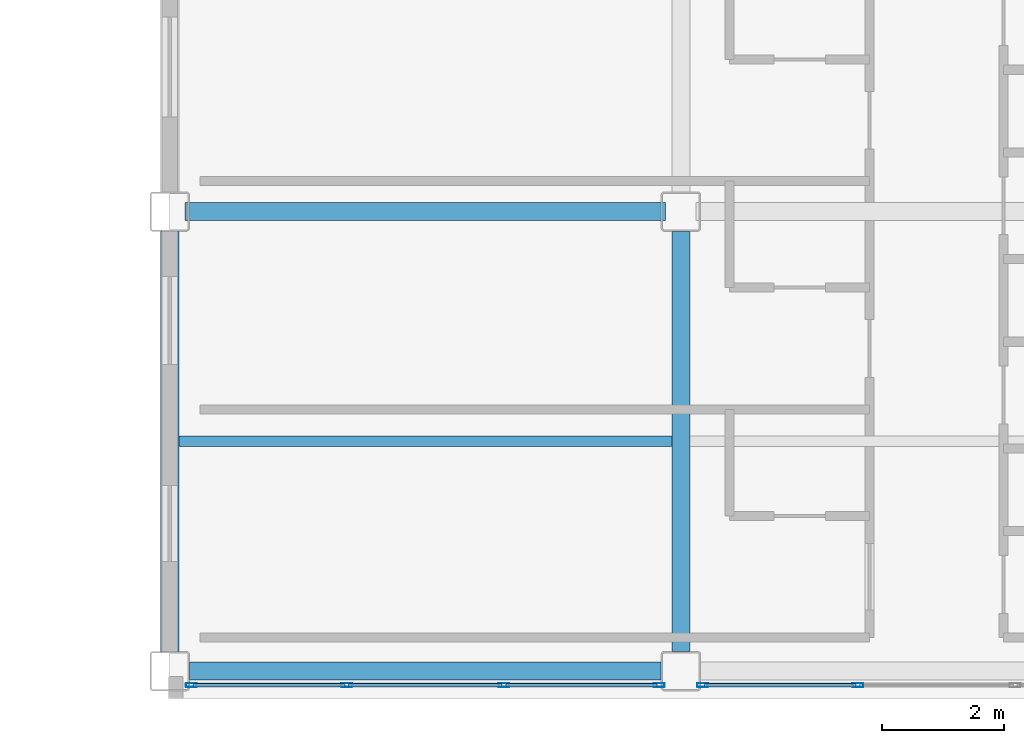
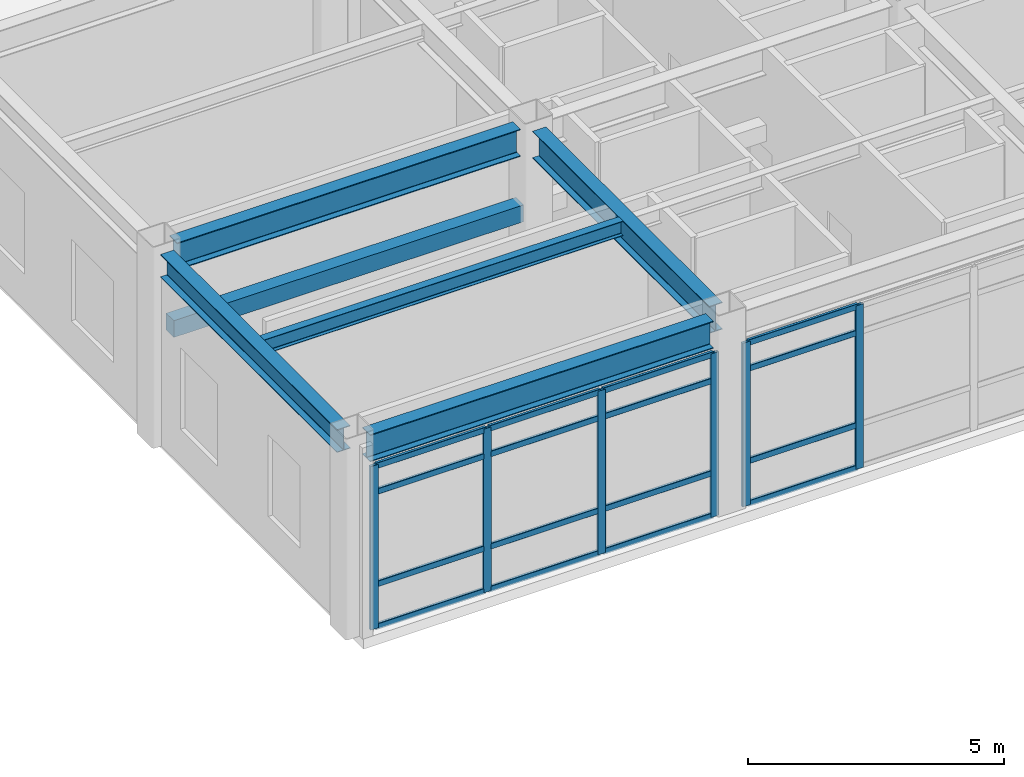
# One storey, part 15 of 61: 22 members, 6 beams, 2 elements without a shape of their own.
"""IFC4 building model written with IfcOpenShell, lengths in metres."""

from ifc_helpers import new_model, si_unit, direction, frame, origin, origin_2d, place, context, subcontext, project, spatial, rectangle, hollow_rectangle, i_section, extrude, material, layer, layer_set, material_profile, profile_set, type_object, element, aggregate, save


model = new_model("IFC4")

# Units and contexts
model_context = context("Model", 3, precision=1e-05, world=origin(), true_north=direction((0.0, 1.0)))
body_context = subcontext(model_context, "Body", "Model", "MODEL_VIEW")
ifc_project = project(units=[si_unit("LENGTHUNIT", "METRE"), si_unit("AREAUNIT", "SQUARE_METRE"), si_unit("VOLUMEUNIT", "CUBIC_METRE"), si_unit("PLANEANGLEUNIT", "RADIAN"), si_unit("MASSUNIT", "GRAM", prefix="KILO")], contexts=[model_context])

# Site, building, storey
site_placement = place(None, origin())
site = spatial("IfcSite", under=ifc_project, at=site_placement, CompositionType="ELEMENT")
building_placement = place(site_placement, origin())
building = spatial("IfcBuilding", under=site, at=building_placement, Name="Kazehara Bluff Congress Hotel", CompositionType="ELEMENT")
storey_placement = place(building_placement, frame((0.0, 0.0, 19.800048828125)))
storey = spatial("IfcBuildingStorey", under=building, at=storey_placement, Name="L04", CompositionType="ELEMENT", Elevation=19.800048828125)

# Curtain wall, members
ifc_material_1 = material(Name="Anodised aluminium", Category="aluminium")
ifc_layer = layer(ifc_material_1, 0.159912109375)
ifc_layer_set = layer_set([ifc_layer], Name="Anodised aluminium")
curtain_wall_type = type_object("IfcCurtainWallType", Name="TP-CW-158", PredefinedType="NOTDEFINED", material=ifc_layer_set)
curtain_wall_1_placement = place(storey_placement, origin())
curtain_wall_1 = element("IfcCurtainWall", 1, at=curtain_wall_1_placement, inside=storey, type_object=curtain_wall_type, Name="L04 curtain wall CW-158 CW-ENC-V5-L04-14790-22", PredefinedType="NOTDEFINED")
ifc_material_2 = material(Name="Anodised aluminium", Category="aluminium")
ifc_material_profile_1 = material_profile(ifc_material_2, hollow_rectangle(XDim=0.06494140625, YDim=0.179931640625, WallThickness=0.00390625, InnerFilletRadius=0.00390625, OuterFilletRadius=0.008056640625, at=origin_2d()))
ifc_profile_set_1 = profile_set([ifc_material_profile_1], Name="Anodised aluminium")
member_type_1 = type_object("IfcMemberType", Name="TP-CWM-02", PredefinedType="MULLION", material=ifc_profile_set_1)
member_1_placement = place(storey_placement, frame((151.742431640625, 0.219970703125, 0.0), z_axis=(0.0, 0.0, 1.0), x_axis=(0.0, -1.0, 0.0)))
member_1 = element("IfcMember", 2, at=member_1_placement, type_object=member_type_1, Name="CW-158 mullion 1", PredefinedType="MULLION", context=body_context, shape_type="SweptSolid", body=[
    extrude(hollow_rectangle(XDim=0.06494140625, YDim=0.179931640625, WallThickness=0.00390625, InnerFilletRadius=0.00390625, OuterFilletRadius=0.008056640625, at=origin_2d()), origin(), (0.0, 0.0, 1.0), 3.905029296875),
])
member_2_placement = place(storey_placement, frame((149.191650390625, 0.219970703125, 0.0), z_axis=(0.0, 0.0, 1.0), x_axis=(0.0, -1.0, 0.0)))
member_2 = element("IfcMember", 3, at=member_2_placement, type_object=member_type_1, Name="CW-158 mullion 2", PredefinedType="MULLION", context=body_context, shape_type="SweptSolid", body=[
    extrude(hollow_rectangle(XDim=0.06494140625, YDim=0.179931640625, WallThickness=0.00390625, InnerFilletRadius=0.00390625, OuterFilletRadius=0.008056640625, at=origin_2d()), origin(), (0.0, 0.0, 1.0), 3.905029296875),
])
member_3_placement = place(storey_placement, frame((146.6083984375, 0.219970703125, 0.0), z_axis=(0.0, 0.0, 1.0), x_axis=(0.0, -1.0, 0.0)))
member_3 = element("IfcMember", 4, at=member_3_placement, type_object=member_type_1, Name="CW-158 mullion 3", PredefinedType="MULLION", context=body_context, shape_type="SweptSolid", body=[
    extrude(hollow_rectangle(XDim=0.06494140625, YDim=0.179931640625, WallThickness=0.00390625, InnerFilletRadius=0.00390625, OuterFilletRadius=0.008056640625, at=origin_2d()), origin(), (0.0, 0.0, 1.0), 3.905029296875),
])
member_4_placement = place(storey_placement, frame((144.0576171875, 0.219970703125, 0.0), z_axis=(0.0, 0.0, 1.0), x_axis=(0.0, -1.0, 0.0)))
member_4 = element("IfcMember", 5, at=member_4_placement, type_object=member_type_1, Name="CW-158 mullion 4", PredefinedType="MULLION", context=body_context, shape_type="SweptSolid", body=[
    extrude(hollow_rectangle(XDim=0.06494140625, YDim=0.179931640625, WallThickness=0.00390625, InnerFilletRadius=0.00390625, OuterFilletRadius=0.008056640625, at=origin_2d()), origin(), (0.0, 0.0, 1.0), 3.905029296875),
])

curtain_wall_2_placement = place(storey_placement, origin())
curtain_wall_2 = element("IfcCurtainWall", 6, at=curtain_wall_2_placement, inside=storey, type_object=curtain_wall_type, Name="L04 curtain wall CW-158 CW-ENC-V5-L04-15630-22", PredefinedType="NOTDEFINED")
member_5_placement = place(storey_placement, frame((155.00830078125, 0.219970703125, 0.0), z_axis=(0.0, 0.0, 1.0), x_axis=(0.0, -1.0, 0.0)))
member_5 = element("IfcMember", 7, at=member_5_placement, type_object=member_type_1, Name="CW-158 mullion 3", PredefinedType="MULLION", context=body_context, shape_type="SweptSolid", body=[
    extrude(hollow_rectangle(XDim=0.06494140625, YDim=0.179931640625, WallThickness=0.00390625, InnerFilletRadius=0.00390625, OuterFilletRadius=0.008056640625, at=origin_2d()), origin(), (0.0, 0.0, 1.0), 3.905029296875),
])
member_6_placement = place(storey_placement, frame((152.45751953125, 0.219970703125, 0.0), z_axis=(0.0, 0.0, 1.0), x_axis=(0.0, -1.0, 0.0)))
member_6 = element("IfcMember", 8, at=member_6_placement, type_object=member_type_1, Name="CW-158 mullion 4", PredefinedType="MULLION", context=body_context, shape_type="SweptSolid", body=[
    extrude(hollow_rectangle(XDim=0.06494140625, YDim=0.179931640625, WallThickness=0.00390625, InnerFilletRadius=0.00390625, OuterFilletRadius=0.008056640625, at=origin_2d()), origin(), (0.0, 0.0, 1.0), 3.905029296875),
])

# Member
ifc_material_3 = material(Name="Anodised aluminium", Category="aluminium")
ifc_material_profile_2 = material_profile(ifc_material_3, hollow_rectangle(XDim=0.06494140625, YDim=0.139892578125, WallThickness=0.00390625, InnerFilletRadius=0.00390625, OuterFilletRadius=0.008056640625, at=origin_2d()))
ifc_profile_set_2 = profile_set([ifc_material_profile_2], Name="Anodised aluminium")
member_type_2 = type_object("IfcMemberType", Name="TP-CWT-02", PredefinedType="USERDEFINED", material=ifc_profile_set_2)
member_7_placement = place(storey_placement, frame((151.7099609375, 0.219970703125, 0.032470703125), z_axis=(-1.0, 0.0, 0.0), x_axis=(0.0, -1.0, 0.0)))
member_7 = element("IfcMember", 9, at=member_7_placement, type_object=member_type_2, Name="CW-158 transom 1.1", ObjectType="TRANSOM", PredefinedType="USERDEFINED", context=body_context, shape_type="SweptSolid", body=[
    extrude(hollow_rectangle(XDim=0.06494140625, YDim=0.139892578125, WallThickness=0.00390625, InnerFilletRadius=0.00390625, OuterFilletRadius=0.008056640625, at=origin_2d()), origin(), (0.0, 0.0, 1.0), 2.48583984375),
])

member_8_placement = place(storey_placement, frame((151.7099609375, 0.219970703125, 1.050048828125), z_axis=(-1.0, 0.0, 0.0), x_axis=(0.0, -1.0, 0.0)))
member_8 = element("IfcMember", 10, at=member_8_placement, type_object=member_type_2, Name="CW-158 transom 1.2", ObjectType="TRANSOM", PredefinedType="USERDEFINED", context=body_context, shape_type="SweptSolid", body=[
    extrude(hollow_rectangle(XDim=0.06494140625, YDim=0.139892578125, WallThickness=0.00390625, InnerFilletRadius=0.00390625, OuterFilletRadius=0.008056640625, at=origin_2d()), origin(), (0.0, 0.0, 1.0), 2.48583984375),
])

member_9_placement = place(storey_placement, frame((151.7099609375, 0.219970703125, 3.2548828125), z_axis=(-1.0, 0.0, 0.0), x_axis=(0.0, -1.0, 0.0)))
member_9 = element("IfcMember", 11, at=member_9_placement, type_object=member_type_2, Name="CW-158 transom 1.3", ObjectType="TRANSOM", PredefinedType="USERDEFINED", context=body_context, shape_type="SweptSolid", body=[
    extrude(hollow_rectangle(XDim=0.06494140625, YDim=0.139892578125, WallThickness=0.00390625, InnerFilletRadius=0.00390625, OuterFilletRadius=0.008056640625, at=origin_2d()), origin(), (0.0, 0.0, 1.0), 2.48583984375),
])

member_10_placement = place(storey_placement, frame((151.7099609375, 0.219970703125, 3.87255859375), z_axis=(-1.0, 0.0, 0.0), x_axis=(0.0, -1.0, 0.0)))
member_10 = element("IfcMember", 12, at=member_10_placement, type_object=member_type_2, Name="CW-158 transom 1.4", ObjectType="TRANSOM", PredefinedType="USERDEFINED", context=body_context, shape_type="SweptSolid", body=[
    extrude(hollow_rectangle(XDim=0.06494140625, YDim=0.139892578125, WallThickness=0.00390625, InnerFilletRadius=0.00390625, OuterFilletRadius=0.008056640625, at=origin_2d()), origin(), (0.0, 0.0, 1.0), 2.48583984375),
])

member_11_placement = place(storey_placement, frame((149.1591796875, 0.219970703125, 0.032470703125), z_axis=(-1.0, 0.0, 0.0), x_axis=(0.0, -1.0, 0.0)))
member_11 = element("IfcMember", 13, at=member_11_placement, type_object=member_type_2, Name="CW-158 transom 2.1", ObjectType="TRANSOM", PredefinedType="USERDEFINED", context=body_context, shape_type="SweptSolid", body=[
    extrude(hollow_rectangle(XDim=0.06494140625, YDim=0.139892578125, WallThickness=0.00390625, InnerFilletRadius=0.00390625, OuterFilletRadius=0.008056640625, at=origin_2d()), origin(), (0.0, 0.0, 1.0), 2.518310546875),
])

member_12_placement = place(storey_placement, frame((149.1591796875, 0.219970703125, 1.050048828125), z_axis=(-1.0, 0.0, 0.0), x_axis=(0.0, -1.0, 0.0)))
member_12 = element("IfcMember", 14, at=member_12_placement, type_object=member_type_2, Name="CW-158 transom 2.2", ObjectType="TRANSOM", PredefinedType="USERDEFINED", context=body_context, shape_type="SweptSolid", body=[
    extrude(hollow_rectangle(XDim=0.06494140625, YDim=0.139892578125, WallThickness=0.00390625, InnerFilletRadius=0.00390625, OuterFilletRadius=0.008056640625, at=origin_2d()), origin(), (0.0, 0.0, 1.0), 2.518310546875),
])

member_13_placement = place(storey_placement, frame((149.1591796875, 0.219970703125, 3.2548828125), z_axis=(-1.0, 0.0, 0.0), x_axis=(0.0, -1.0, 0.0)))
member_13 = element("IfcMember", 15, at=member_13_placement, type_object=member_type_2, Name="CW-158 transom 2.3", ObjectType="TRANSOM", PredefinedType="USERDEFINED", context=body_context, shape_type="SweptSolid", body=[
    extrude(hollow_rectangle(XDim=0.06494140625, YDim=0.139892578125, WallThickness=0.00390625, InnerFilletRadius=0.00390625, OuterFilletRadius=0.008056640625, at=origin_2d()), origin(), (0.0, 0.0, 1.0), 2.518310546875),
])

member_14_placement = place(storey_placement, frame((149.1591796875, 0.219970703125, 3.87255859375), z_axis=(-1.0, 0.0, 0.0), x_axis=(0.0, -1.0, 0.0)))
member_14 = element("IfcMember", 16, at=member_14_placement, type_object=member_type_2, Name="CW-158 transom 2.4", ObjectType="TRANSOM", PredefinedType="USERDEFINED", context=body_context, shape_type="SweptSolid", body=[
    extrude(hollow_rectangle(XDim=0.06494140625, YDim=0.139892578125, WallThickness=0.00390625, InnerFilletRadius=0.00390625, OuterFilletRadius=0.008056640625, at=origin_2d()), origin(), (0.0, 0.0, 1.0), 2.518310546875),
])

member_15_placement = place(storey_placement, frame((146.575927734375, 0.219970703125, 0.032470703125), z_axis=(-1.0, 0.0, 0.0), x_axis=(0.0, -1.0, 0.0)))
member_15 = element("IfcMember", 17, at=member_15_placement, type_object=member_type_2, Name="CW-158 transom 3.1", ObjectType="TRANSOM", PredefinedType="USERDEFINED", context=body_context, shape_type="SweptSolid", body=[
    extrude(hollow_rectangle(XDim=0.06494140625, YDim=0.139892578125, WallThickness=0.00390625, InnerFilletRadius=0.00390625, OuterFilletRadius=0.008056640625, at=origin_2d()), origin(), (0.0, 0.0, 1.0), 2.48583984375),
])

member_16_placement = place(storey_placement, frame((146.575927734375, 0.219970703125, 1.050048828125), z_axis=(-1.0, 0.0, 0.0), x_axis=(0.0, -1.0, 0.0)))
member_16 = element("IfcMember", 18, at=member_16_placement, type_object=member_type_2, Name="CW-158 transom 3.2", ObjectType="TRANSOM", PredefinedType="USERDEFINED", context=body_context, shape_type="SweptSolid", body=[
    extrude(hollow_rectangle(XDim=0.06494140625, YDim=0.139892578125, WallThickness=0.00390625, InnerFilletRadius=0.00390625, OuterFilletRadius=0.008056640625, at=origin_2d()), origin(), (0.0, 0.0, 1.0), 2.48583984375),
])

member_17_placement = place(storey_placement, frame((146.575927734375, 0.219970703125, 3.2548828125), z_axis=(-1.0, 0.0, 0.0), x_axis=(0.0, -1.0, 0.0)))
member_17 = element("IfcMember", 19, at=member_17_placement, type_object=member_type_2, Name="CW-158 transom 3.3", ObjectType="TRANSOM", PredefinedType="USERDEFINED", context=body_context, shape_type="SweptSolid", body=[
    extrude(hollow_rectangle(XDim=0.06494140625, YDim=0.139892578125, WallThickness=0.00390625, InnerFilletRadius=0.00390625, OuterFilletRadius=0.008056640625, at=origin_2d()), origin(), (0.0, 0.0, 1.0), 2.48583984375),
])

member_18_placement = place(storey_placement, frame((146.575927734375, 0.219970703125, 3.87255859375), z_axis=(-1.0, 0.0, 0.0), x_axis=(0.0, -1.0, 0.0)))
member_18 = element("IfcMember", 20, at=member_18_placement, type_object=member_type_2, Name="CW-158 transom 3.4", ObjectType="TRANSOM", PredefinedType="USERDEFINED", context=body_context, shape_type="SweptSolid", body=[
    extrude(hollow_rectangle(XDim=0.06494140625, YDim=0.139892578125, WallThickness=0.00390625, InnerFilletRadius=0.00390625, OuterFilletRadius=0.008056640625, at=origin_2d()), origin(), (0.0, 0.0, 1.0), 2.48583984375),
])

aggregate(curtain_wall_1, [member_1, member_2, member_3, member_4, member_7, member_8, member_9, member_10, member_11, member_12, member_13, member_14, member_15, member_16, member_17, member_18])

member_19_placement = place(storey_placement, frame((154.975830078125, 0.219970703125, 0.032470703125), z_axis=(-1.0, 0.0, 0.0), x_axis=(0.0, -1.0, 0.0)))
member_19 = element("IfcMember", 21, at=member_19_placement, type_object=member_type_2, Name="CW-158 transom 3.1", ObjectType="TRANSOM", PredefinedType="USERDEFINED", context=body_context, shape_type="SweptSolid", body=[
    extrude(hollow_rectangle(XDim=0.06494140625, YDim=0.139892578125, WallThickness=0.00390625, InnerFilletRadius=0.00390625, OuterFilletRadius=0.008056640625, at=origin_2d()), origin(), (0.0, 0.0, 1.0), 2.48583984375),
])

member_20_placement = place(storey_placement, frame((154.975830078125, 0.219970703125, 1.050048828125), z_axis=(-1.0, 0.0, 0.0), x_axis=(0.0, -1.0, 0.0)))
member_20 = element("IfcMember", 22, at=member_20_placement, type_object=member_type_2, Name="CW-158 transom 3.2", ObjectType="TRANSOM", PredefinedType="USERDEFINED", context=body_context, shape_type="SweptSolid", body=[
    extrude(hollow_rectangle(XDim=0.06494140625, YDim=0.139892578125, WallThickness=0.00390625, InnerFilletRadius=0.00390625, OuterFilletRadius=0.008056640625, at=origin_2d()), origin(), (0.0, 0.0, 1.0), 2.48583984375),
])

member_21_placement = place(storey_placement, frame((154.975830078125, 0.219970703125, 3.2548828125), z_axis=(-1.0, 0.0, 0.0), x_axis=(0.0, -1.0, 0.0)))
member_21 = element("IfcMember", 23, at=member_21_placement, type_object=member_type_2, Name="CW-158 transom 3.3", ObjectType="TRANSOM", PredefinedType="USERDEFINED", context=body_context, shape_type="SweptSolid", body=[
    extrude(hollow_rectangle(XDim=0.06494140625, YDim=0.139892578125, WallThickness=0.00390625, InnerFilletRadius=0.00390625, OuterFilletRadius=0.008056640625, at=origin_2d()), origin(), (0.0, 0.0, 1.0), 2.48583984375),
])

member_22_placement = place(storey_placement, frame((154.975830078125, 0.219970703125, 3.87255859375), z_axis=(-1.0, 0.0, 0.0), x_axis=(0.0, -1.0, 0.0)))
member_22 = element("IfcMember", 24, at=member_22_placement, type_object=member_type_2, Name="CW-158 transom 3.4", ObjectType="TRANSOM", PredefinedType="USERDEFINED", context=body_context, shape_type="SweptSolid", body=[
    extrude(hollow_rectangle(XDim=0.06494140625, YDim=0.139892578125, WallThickness=0.00390625, InnerFilletRadius=0.00390625, OuterFilletRadius=0.008056640625, at=origin_2d()), origin(), (0.0, 0.0, 1.0), 2.48583984375),
])

aggregate(curtain_wall_2, [member_5, member_6, member_19, member_20, member_21, member_22])

# Beams
ifc_material_4 = material(Name="Steel SN490B", Category="steel")
ifc_material_profile_3 = material_profile(ifc_material_4, i_section(OverallWidth=0.300048828125, OverallDepth=0.64990234375, WebThickness=0.011962890625, FlangeThickness=0.02001953125, FilletRadius=0.012939453125, at=origin_2d()))
ifc_profile_set_3 = profile_set([ifc_material_profile_3], Name="Steel SN490B")
beam_type_1 = type_object("IfcBeamType", Name="TP-G-03", PredefinedType="BEAM", material=ifc_profile_set_3)
beam_1_placement = place(storey_placement, frame((152.10009765625, 0.77490234375, 4.2548828125), z_axis=(0.0, 1.0, 0.0), x_axis=(-1.0, 0.0, 0.0)))
element("IfcBeam", 25, at=beam_1_placement, inside=storey, type_object=beam_type_1, Name="L04 girder G-03 44", PredefinedType="BEAM", context=body_context, shape_type="SweptSolid", body=[
    extrude(i_section(OverallWidth=0.300048828125, OverallDepth=0.64990234375, WebThickness=0.011962890625, FlangeThickness=0.02001953125, FilletRadius=0.012939453125, at=origin_2d()), origin(), (0.0, 0.0, 1.0), 6.900146484375),
])
for number, where, z_axis, x_axis, name in (
    (26, (144.02490234375, 0.449951171875, 4.2548828125), (1.0, 0.0, 0.0), (0.0, 1.0, 0.0), "L04 girder G-03 78"),
    (27, (144.02490234375, 8.0, 4.2548828125), (1.0, 0.0, 0.0), (0.0, 1.0, 0.0), "L04 girder G-03 81"),
):
    element("IfcBeam", number, at=place(storey_placement, frame(where, z_axis=z_axis, x_axis=x_axis)), inside=storey, type_object=beam_type_1, Name=name, PredefinedType="BEAM", context=body_context, shape_type="SweptSolid", body=[
        extrude(i_section(OverallWidth=0.300048828125, OverallDepth=0.64990234375, WebThickness=0.011962890625, FlangeThickness=0.02001953125, FilletRadius=0.012939453125, at=origin_2d()), origin(), (0.0, 0.0, 1.0), 7.75),
    ])
ifc_material_5 = material(Name="Steel SN400B", Category="steel")
ifc_material_profile_4 = material_profile(ifc_material_5, i_section(OverallWidth=0.175048828125, OverallDepth=0.35009765625, WebThickness=0.007080078125, FlangeThickness=0.010986328125, FilletRadius=0.012939453125, at=origin_2d()))
ifc_profile_set_4 = profile_set([ifc_material_profile_4], Name="Steel SN400B")
beam_type_2 = type_object("IfcBeamType", Name="TP-J-02", PredefinedType="JOIST", material=ifc_profile_set_4)
beam_2_placement = place(storey_placement, frame((143.85009765625, 4.22509765625, 4.405029296875), z_axis=(1.0, 0.0, 0.0), x_axis=(0.0, 1.0, 0.0)))
element("IfcBeam", 28, at=beam_2_placement, inside=storey, type_object=beam_type_2, Name="L04 secondary joist J-02 11", PredefinedType="JOIST", context=body_context, shape_type="SweptSolid", body=[
    extrude(i_section(OverallWidth=0.175048828125, OverallDepth=0.35009765625, WebThickness=0.007080078125, FlangeThickness=0.010986328125, FilletRadius=0.012939453125, at=origin_2d()), origin(), (0.0, 0.0, 1.0), 8.099853515625),
])
ifc_material_6 = material(Name="Concrete C40/50", Category="concrete")
ifc_material_profile_5 = material_profile(ifc_material_6, rectangle(XDim=0.300048828125, YDim=0.39990234375, at=origin_2d()))
ifc_profile_set_5 = profile_set([ifc_material_profile_5], Name="Concrete C40/50")
beam_type_3 = type_object("IfcBeamType", Name="TP-LN-02", PredefinedType="LINTEL", material=ifc_profile_set_5)
beam_3_placement = place(storey_placement, frame((143.949951171875, 8.0, 2.550048828125), z_axis=(1.0, 0.0, 0.0), x_axis=(0.0, 1.0, 0.0)))
element("IfcBeam", 29, at=beam_3_placement, inside=storey, type_object=beam_type_3, Name="L04 corridor portal lintel 7", PredefinedType="LINTEL", context=body_context, shape_type="SweptSolid", body=[
    extrude(rectangle(XDim=0.300048828125, YDim=0.39990234375, at=origin_2d()), origin(), (0.0, 0.0, 1.0), 7.900146484375),
])
ifc_material_7 = material(Name="Steel SN490B", Category="steel")
ifc_material_profile_6 = material_profile(ifc_material_7, i_section(OverallWidth=0.300048828125, OverallDepth=0.550048828125, WebThickness=0.010986328125, FlangeThickness=0.01806640625, FilletRadius=0.012939453125, at=origin_2d()))
ifc_profile_set_6 = profile_set([ifc_material_profile_6], Name="Steel SN490B")
beam_type_4 = type_object("IfcBeamType", Name="TP-SP-01", PredefinedType="SPANDREL", material=ifc_profile_set_6)
beam_4_placement = place(storey_placement, frame((143.699951171875, 0.77490234375, 4.304931640625), z_axis=(0.0, 1.0, 0.0), x_axis=(-1.0, 0.0, 0.0)))
element("IfcBeam", 30, at=beam_4_placement, inside=storey, type_object=beam_type_4, Name="L04 girder SP-01 31", PredefinedType="SPANDREL", context=body_context, shape_type="SweptSolid", body=[
    extrude(i_section(OverallWidth=0.300048828125, OverallDepth=0.550048828125, WebThickness=0.010986328125, FlangeThickness=0.01806640625, FilletRadius=0.012939453125, at=origin_2d()), origin(), (0.0, 0.0, 1.0), 6.900146484375),
])

save(model, "model.ifc")
